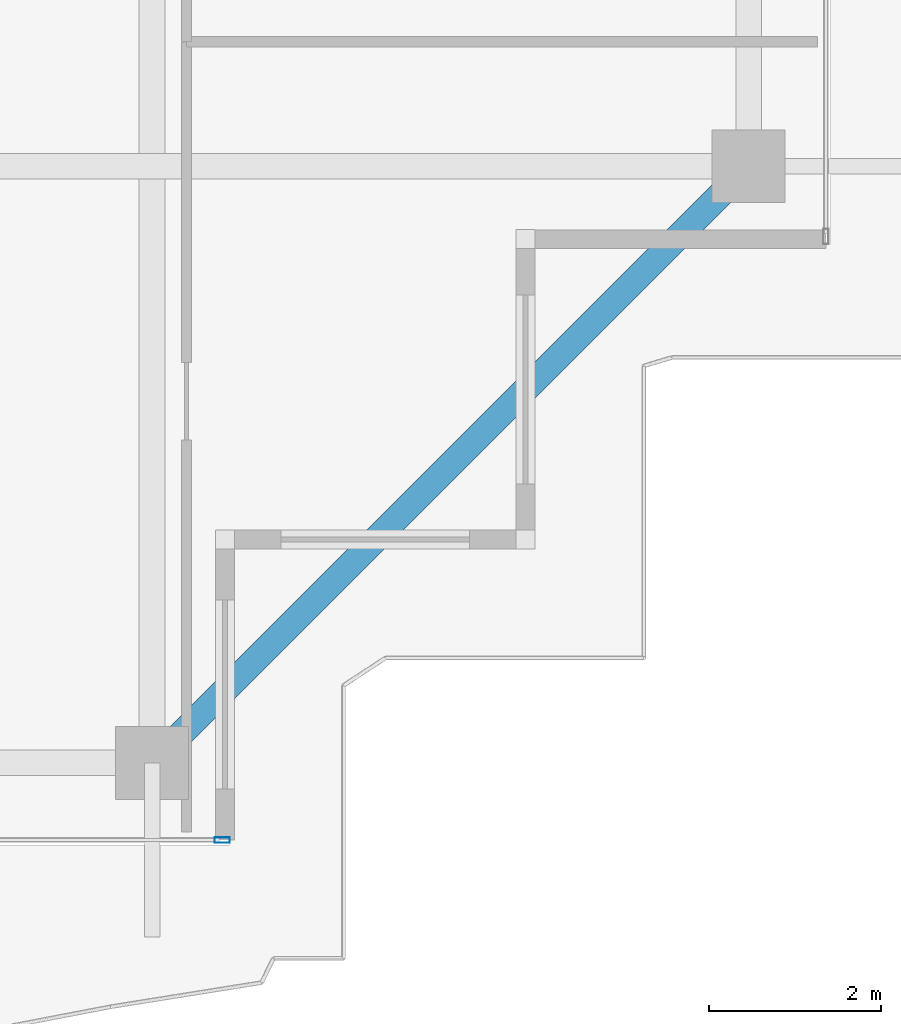
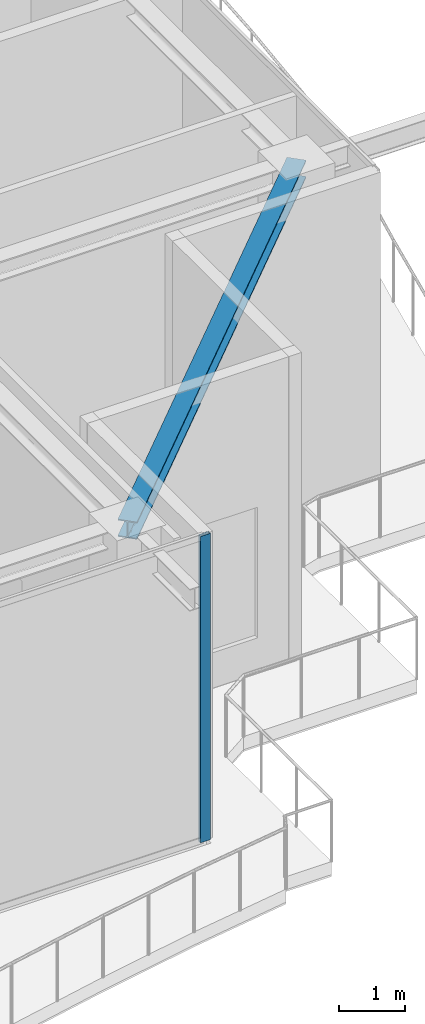
# One storey, part 11 of 38: 1 beam, 1 member, 1 element without a shape of its own.
"""IFC4 building model written with IfcOpenShell, lengths in metres."""

from ifc_helpers import new_model, si_unit, direction, frame, origin, origin_2d, place, context, subcontext, project, spatial, hollow_rectangle, i_section, extrude, source, transform, mapped, material, layer, layer_set, material_profile, profile_set, type_object, element, aggregate, save


model = new_model("IFC4")

# Units and contexts
model_context = context("Model", 3, precision=1e-05, world=origin(), true_north=direction((0.0, 1.0)))
body_context = subcontext(model_context, "Body", "Model", "MODEL_VIEW")
ifc_project = project(units=[si_unit("LENGTHUNIT", "METRE"), si_unit("AREAUNIT", "SQUARE_METRE"), si_unit("VOLUMEUNIT", "CUBIC_METRE"), si_unit("PLANEANGLEUNIT", "RADIAN"), si_unit("MASSUNIT", "GRAM", prefix="KILO")], contexts=[model_context])

# Site, building, storey
site_placement = place(None, origin())
site = spatial("IfcSite", under=ifc_project, at=site_placement, CompositionType="ELEMENT")
building_placement = place(site_placement, origin())
building = spatial("IfcBuilding", under=site, at=building_placement, Name="Serunith Strait Residences", CompositionType="ELEMENT")
storey_placement = place(building_placement, frame((0.0, 0.0, 342.050048828125)))
storey = spatial("IfcBuildingStorey", under=building, at=storey_placement, Name="L85", CompositionType="ELEMENT", Elevation=342.050048828125)

# Beam
ifc_material_1 = material(Name="Steel S355J2", Category="steel")
ifc_material_profile_1 = material_profile(ifc_material_1, i_section(OverallWidth=0.300048828125, OverallDepth=0.320068359375, WebThickness=0.011474609375, FlangeThickness=0.0205078125, FilletRadius=0.027099609375, at=origin_2d()), Name="HEB 320")
ifc_profile_set_1 = profile_set([ifc_material_profile_1], Name="Steel S355J2")
beam_type = type_object("IfcBeamType", Name="BM-HEB320", PredefinedType="BEAM", material=ifc_profile_set_1)
shared_shape_1 = source(origin(), body_context, "Body", "SweptSolid", [
    extrude(i_section(OverallWidth=0.300048828125, OverallDepth=0.320068359375, WebThickness=0.011474609375, FlangeThickness=0.0205078125, FilletRadius=0.027099609375, at=origin_2d()), origin(), (0.0, 0.0, 1.0), 9.8291015625),
])
beam_placement = place(storey_placement, frame((46.14990234375, 4.89990234375, 5.447021484375), z_axis=(0.707106781187, 0.707106781187, 0.0), x_axis=(-0.707106781187, 0.707106781187, 0.0)))
element("IfcBeam", 1, at=beam_placement, inside=storey, type_object=beam_type, Name="L85 Perimeter Ring Beam 04", PredefinedType="BEAM", context=body_context, shape_type="MappedRepresentation", body=[
    mapped(shared_shape_1, transform((0.0, 0.0, 0.0), scale=1.0)),
])

# Curtain wall, member
ifc_material_2 = material(Name="Brushed Stainless-Silver Aluminium", Category="aluminium")
ifc_layer = layer(ifc_material_2, 0.199951171875, Name="Brushed Stainless-Silver Aluminium")
ifc_layer_set = layer_set([ifc_layer], Name="Brushed Stainless-Silver Aluminium")
curtain_wall_type = type_object("IfcCurtainWallType", Name="CW-SYS5", PredefinedType="NOTDEFINED", material=ifc_layer_set)
curtain_wall_placement = place(storey_placement, origin())
curtain_wall = element("IfcCurtainWall", 2, at=curtain_wall_placement, inside=storey, type_object=curtain_wall_type, Name="L85 S Unitised Fritted Curtain Wall", PredefinedType="NOTDEFINED")
ifc_material_profile_2 = material_profile(ifc_material_2, hollow_rectangle(XDim=0.06494140625, YDim=0.179931640625, WallThickness=0.00341796875, InnerFilletRadius=0.00537109375, OuterFilletRadius=0.0087890625, at=origin_2d()), Name="ALU 180x65x3.5")
ifc_profile_set_2 = profile_set([ifc_material_profile_2], Name="Brushed Stainless-Silver Aluminium")
member_type = type_object("IfcMemberType", Name="CW-SYS5-MULL", PredefinedType="MULLION", material=ifc_profile_set_2)
shared_shape_2 = source(origin(), body_context, "Body", "SweptSolid", [
    extrude(hollow_rectangle(XDim=0.06494140625, YDim=0.179931640625, WallThickness=0.00341796875, InnerFilletRadius=0.00537109375, OuterFilletRadius=0.0087890625, at=origin_2d()), origin(), (0.0, 0.0, 1.0), 5.625),
])
member_placement = place(storey_placement, frame((46.967529296875, 4.0, 0.0), z_axis=(0.0, 0.0, 1.0), x_axis=(0.0, 1.0, 0.0)))
member = element("IfcMember", 3, at=member_placement, type_object=member_type, Name="CW-5 mullion 3", PredefinedType="MULLION", context=body_context, shape_type="MappedRepresentation", body=[
    mapped(shared_shape_2, transform((0.0, 0.0, 0.0), scale=1.0)),
])
aggregate(curtain_wall, [member])

save(model, "model.ifc")
